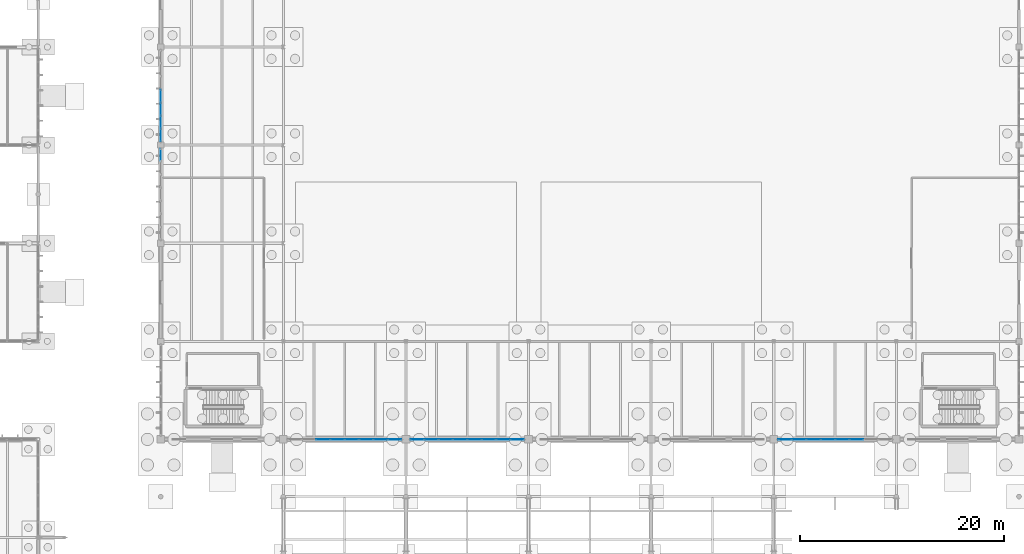
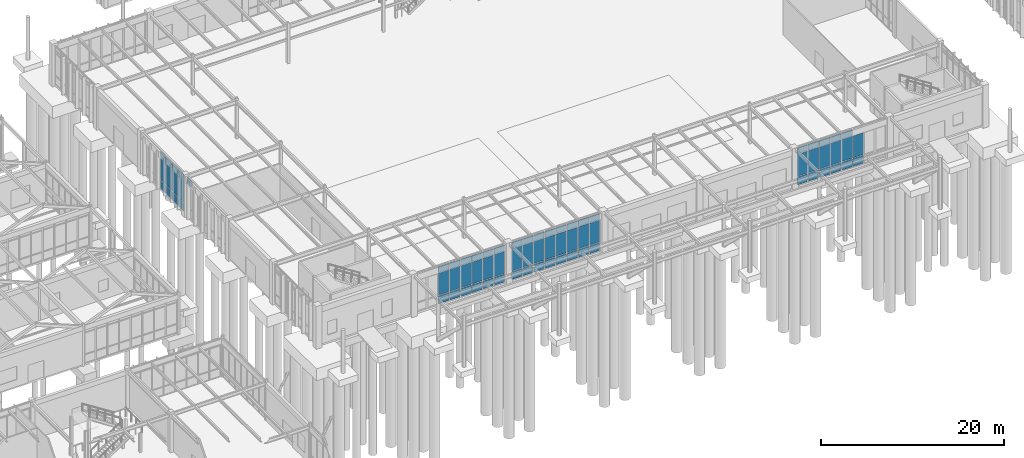
# One storey, part 133 of 188: 72 plates, 5 elements without a shape of their own.
"""IFC4 building model written with IfcOpenShell, lengths in metres."""

from ifc_helpers import new_model, si_unit, direction, frame, origin, origin_2d, place, context, subcontext, project, spatial, rectangle, extrude, material, layer, layer_set, type_object, element, aggregate, save


model = new_model("IFC4")

# Units and contexts
model_context = context("Model", 3, precision=1e-05, world=origin(), true_north=direction((0.0, 1.0)))
body_context = subcontext(model_context, "Body", "Model", "MODEL_VIEW")
ifc_project = project(units=[si_unit("LENGTHUNIT", "METRE"), si_unit("AREAUNIT", "SQUARE_METRE"), si_unit("VOLUMEUNIT", "CUBIC_METRE"), si_unit("PLANEANGLEUNIT", "RADIAN"), si_unit("MASSUNIT", "GRAM", prefix="KILO")], contexts=[model_context])

# Site, building, storey
site_placement = place(None, origin())
site = spatial("IfcSite", under=ifc_project, at=site_placement, CompositionType="ELEMENT")
building_placement = place(site_placement, origin())
building = spatial("IfcBuilding", under=site, at=building_placement, Name="Pandanus Reach Market Hall", CompositionType="ELEMENT")
storey_placement = place(building_placement, origin())
storey = spatial("IfcBuildingStorey", under=building, at=storey_placement, Name="L00", CompositionType="ELEMENT", Elevation=0.0)

# Curtain wall, plates
ifc_material_1 = material(Name="Bronze anodised aluminium and low-E glass", Category="aluminium")
ifc_layer_1 = layer(ifc_material_1, 0.199951171875, Name="CW-01")
ifc_layer_set_1 = layer_set([ifc_layer_1], Name="Bronze anodised aluminium and low-E glass")
curtain_wall_type_1 = type_object("IfcCurtainWallType", Name="CW-01", PredefinedType="NOTDEFINED", material=ifc_layer_set_1)
curtain_wall_1_placement = place(storey_placement, origin())
curtain_wall_1 = element("IfcCurtainWall", 1, at=curtain_wall_1_placement, inside=storey, type_object=curtain_wall_type_1, Name="Glazed curtain wall CW-01 CW-0001", PredefinedType="NOTDEFINED")
ifc_material_2 = material(Name="Acoustic laminated solar double glazing", Category="glass")
ifc_layer_2 = layer(ifc_material_2, 0.031982421875, Name="CW-P2")
ifc_layer_set_2 = layer_set([ifc_layer_2], Name="Acoustic laminated solar double glazing")
plate_type = type_object("IfcPlateType", Name="CW-P2", PredefinedType="CURTAIN_PANEL", material=ifc_layer_set_2)
plate_1_placement = place(storey_placement, frame((63.890625, 28.800048828125, 0.074951171875), z_axis=(0.0, 0.0, 1.0), x_axis=(1.0, 0.0, 0.0)))
plate_1 = element("IfcPlate", 2, at=plate_1_placement, type_object=plate_type, Name="CW-01 panel 3.1", PredefinedType="CURTAIN_PANEL", context=body_context, shape_type="SweptSolid", body=[
    extrude(rectangle(XDim=1.331298828125, YDim=0.031982421875, at=origin_2d()), origin(), (0.0, 0.0, 1.0), 1.08740234375),
])
plate_2_placement = place(storey_placement, frame((63.890625, 28.800048828125, 1.2373046875), z_axis=(0.0, 0.0, 1.0), x_axis=(1.0, 0.0, 0.0)))
plate_2 = element("IfcPlate", 3, at=plate_2_placement, type_object=plate_type, Name="CW-01 panel 3.2", PredefinedType="CURTAIN_PANEL", context=body_context, shape_type="SweptSolid", body=[
    extrude(rectangle(XDim=1.331298828125, YDim=0.031982421875, at=origin_2d()), origin(), (0.0, 0.0, 1.0), 2.925048828125),
])
plate_3_placement = place(storey_placement, frame((63.890625, 28.800048828125, 4.237548828125), z_axis=(0.0, 0.0, 1.0), x_axis=(1.0, 0.0, 0.0)))
plate_3 = element("IfcPlate", 4, at=plate_3_placement, type_object=plate_type, Name="CW-01 panel 3.3", PredefinedType="CURTAIN_PANEL", context=body_context, shape_type="SweptSolid", body=[
    extrude(rectangle(XDim=1.331298828125, YDim=0.031982421875, at=origin_2d()), origin(), (0.0, 0.0, 1.0), 0.78759765625),
])
plate_4_placement = place(storey_placement, frame((65.296875, 28.800048828125, 0.074951171875), z_axis=(0.0, 0.0, 1.0), x_axis=(1.0, 0.0, 0.0)))
plate_4 = element("IfcPlate", 5, at=plate_4_placement, type_object=plate_type, Name="CW-01 panel 4.1", PredefinedType="CURTAIN_PANEL", context=body_context, shape_type="SweptSolid", body=[
    extrude(rectangle(XDim=1.331298828125, YDim=0.031982421875, at=origin_2d()), origin(), (0.0, 0.0, 1.0), 1.08740234375),
])
plate_5_placement = place(storey_placement, frame((65.296875, 28.800048828125, 1.2373046875), z_axis=(0.0, 0.0, 1.0), x_axis=(1.0, 0.0, 0.0)))
plate_5 = element("IfcPlate", 6, at=plate_5_placement, type_object=plate_type, Name="CW-01 panel 4.2", PredefinedType="CURTAIN_PANEL", context=body_context, shape_type="SweptSolid", body=[
    extrude(rectangle(XDim=1.331298828125, YDim=0.031982421875, at=origin_2d()), origin(), (0.0, 0.0, 1.0), 2.925048828125),
])
plate_6_placement = place(storey_placement, frame((65.296875, 28.800048828125, 4.237548828125), z_axis=(0.0, 0.0, 1.0), x_axis=(1.0, 0.0, 0.0)))
plate_6 = element("IfcPlate", 7, at=plate_6_placement, type_object=plate_type, Name="CW-01 panel 4.3", PredefinedType="CURTAIN_PANEL", context=body_context, shape_type="SweptSolid", body=[
    extrude(rectangle(XDim=1.331298828125, YDim=0.031982421875, at=origin_2d()), origin(), (0.0, 0.0, 1.0), 0.78759765625),
])
plate_7_placement = place(storey_placement, frame((66.703125, 28.800048828125, 0.074951171875), z_axis=(0.0, 0.0, 1.0), x_axis=(1.0, 0.0, 0.0)))
plate_7 = element("IfcPlate", 8, at=plate_7_placement, type_object=plate_type, Name="CW-01 panel 5.1", PredefinedType="CURTAIN_PANEL", context=body_context, shape_type="SweptSolid", body=[
    extrude(rectangle(XDim=1.331298828125, YDim=0.031982421875, at=origin_2d()), origin(), (0.0, 0.0, 1.0), 1.08740234375),
])
plate_8_placement = place(storey_placement, frame((66.703125, 28.800048828125, 1.2373046875), z_axis=(0.0, 0.0, 1.0), x_axis=(1.0, 0.0, 0.0)))
plate_8 = element("IfcPlate", 9, at=plate_8_placement, type_object=plate_type, Name="CW-01 panel 5.2", PredefinedType="CURTAIN_PANEL", context=body_context, shape_type="SweptSolid", body=[
    extrude(rectangle(XDim=1.331298828125, YDim=0.031982421875, at=origin_2d()), origin(), (0.0, 0.0, 1.0), 2.925048828125),
])
plate_9_placement = place(storey_placement, frame((66.703125, 28.800048828125, 4.237548828125), z_axis=(0.0, 0.0, 1.0), x_axis=(1.0, 0.0, 0.0)))
plate_9 = element("IfcPlate", 10, at=plate_9_placement, type_object=plate_type, Name="CW-01 panel 5.3", PredefinedType="CURTAIN_PANEL", context=body_context, shape_type="SweptSolid", body=[
    extrude(rectangle(XDim=1.331298828125, YDim=0.031982421875, at=origin_2d()), origin(), (0.0, 0.0, 1.0), 0.78759765625),
])
plate_10_placement = place(storey_placement, frame((68.109375, 28.800048828125, 0.074951171875), z_axis=(0.0, 0.0, 1.0), x_axis=(1.0, 0.0, 0.0)))
plate_10 = element("IfcPlate", 11, at=plate_10_placement, type_object=plate_type, Name="CW-01 panel 6.1", PredefinedType="CURTAIN_PANEL", context=body_context, shape_type="SweptSolid", body=[
    extrude(rectangle(XDim=1.331298828125, YDim=0.031982421875, at=origin_2d()), origin(), (0.0, 0.0, 1.0), 1.08740234375),
])
plate_11_placement = place(storey_placement, frame((68.109375, 28.800048828125, 1.2373046875), z_axis=(0.0, 0.0, 1.0), x_axis=(1.0, 0.0, 0.0)))
plate_11 = element("IfcPlate", 12, at=plate_11_placement, type_object=plate_type, Name="CW-01 panel 6.2", PredefinedType="CURTAIN_PANEL", context=body_context, shape_type="SweptSolid", body=[
    extrude(rectangle(XDim=1.331298828125, YDim=0.031982421875, at=origin_2d()), origin(), (0.0, 0.0, 1.0), 2.925048828125),
])
plate_12_placement = place(storey_placement, frame((68.109375, 28.800048828125, 4.237548828125), z_axis=(0.0, 0.0, 1.0), x_axis=(1.0, 0.0, 0.0)))
plate_12 = element("IfcPlate", 13, at=plate_12_placement, type_object=plate_type, Name="CW-01 panel 6.3", PredefinedType="CURTAIN_PANEL", context=body_context, shape_type="SweptSolid", body=[
    extrude(rectangle(XDim=1.331298828125, YDim=0.031982421875, at=origin_2d()), origin(), (0.0, 0.0, 1.0), 0.78759765625),
])
plate_13_placement = place(storey_placement, frame((69.515625, 28.800048828125, 0.074951171875), z_axis=(0.0, 0.0, 1.0), x_axis=(1.0, 0.0, 0.0)))
plate_13 = element("IfcPlate", 14, at=plate_13_placement, type_object=plate_type, Name="CW-01 panel 7.1", PredefinedType="CURTAIN_PANEL", context=body_context, shape_type="SweptSolid", body=[
    extrude(rectangle(XDim=1.331298828125, YDim=0.031982421875, at=origin_2d()), origin(), (0.0, 0.0, 1.0), 1.08740234375),
])
plate_14_placement = place(storey_placement, frame((69.515625, 28.800048828125, 1.2373046875), z_axis=(0.0, 0.0, 1.0), x_axis=(1.0, 0.0, 0.0)))
plate_14 = element("IfcPlate", 15, at=plate_14_placement, type_object=plate_type, Name="CW-01 panel 7.2", PredefinedType="CURTAIN_PANEL", context=body_context, shape_type="SweptSolid", body=[
    extrude(rectangle(XDim=1.331298828125, YDim=0.031982421875, at=origin_2d()), origin(), (0.0, 0.0, 1.0), 2.925048828125),
])
plate_15_placement = place(storey_placement, frame((69.515625, 28.800048828125, 4.237548828125), z_axis=(0.0, 0.0, 1.0), x_axis=(1.0, 0.0, 0.0)))
plate_15 = element("IfcPlate", 16, at=plate_15_placement, type_object=plate_type, Name="CW-01 panel 7.3", PredefinedType="CURTAIN_PANEL", context=body_context, shape_type="SweptSolid", body=[
    extrude(rectangle(XDim=1.331298828125, YDim=0.031982421875, at=origin_2d()), origin(), (0.0, 0.0, 1.0), 0.78759765625),
])
plate_16_placement = place(storey_placement, frame((70.903076171875, 28.800048828125, 0.074951171875), z_axis=(0.0, 0.0, 1.0), x_axis=(1.0, 0.0, 0.0)))
plate_16 = element("IfcPlate", 17, at=plate_16_placement, type_object=plate_type, Name="CW-01 panel 8.1", PredefinedType="CURTAIN_PANEL", context=body_context, shape_type="SweptSolid", body=[
    extrude(rectangle(XDim=1.293701171875, YDim=0.031982421875, at=origin_2d()), origin(), (0.0, 0.0, 1.0), 1.08740234375),
])
plate_17_placement = place(storey_placement, frame((70.903076171875, 28.800048828125, 1.2373046875), z_axis=(0.0, 0.0, 1.0), x_axis=(1.0, 0.0, 0.0)))
plate_17 = element("IfcPlate", 18, at=plate_17_placement, type_object=plate_type, Name="CW-01 panel 8.2", PredefinedType="CURTAIN_PANEL", context=body_context, shape_type="SweptSolid", body=[
    extrude(rectangle(XDim=1.293701171875, YDim=0.031982421875, at=origin_2d()), origin(), (0.0, 0.0, 1.0), 2.925048828125),
])
plate_18_placement = place(storey_placement, frame((70.903076171875, 28.800048828125, 4.237548828125), z_axis=(0.0, 0.0, 1.0), x_axis=(1.0, 0.0, 0.0)))
plate_18 = element("IfcPlate", 19, at=plate_18_placement, type_object=plate_type, Name="CW-01 panel 8.3", PredefinedType="CURTAIN_PANEL", context=body_context, shape_type="SweptSolid", body=[
    extrude(rectangle(XDim=1.293701171875, YDim=0.031982421875, at=origin_2d()), origin(), (0.0, 0.0, 1.0), 0.78759765625),
])
aggregate(curtain_wall_1, [plate_1, plate_2, plate_3, plate_4, plate_5, plate_6, plate_7, plate_8, plate_9, plate_10, plate_11, plate_12, plate_13, plate_14, plate_15, plate_16, plate_17, plate_18])

curtain_wall_2_placement = place(storey_placement, origin())
curtain_wall_2 = element("IfcCurtainWall", 20, at=curtain_wall_2_placement, inside=storey, type_object=curtain_wall_type_1, Name="Glazed curtain wall CW-01 CW-0003", PredefinedType="NOTDEFINED")
plate_19_placement = place(storey_placement, frame((73.096923828125, 28.800048828125, 0.074951171875), z_axis=(0.0, 0.0, 1.0), x_axis=(1.0, 0.0, 0.0)))
plate_19 = element("IfcPlate", 21, at=plate_19_placement, type_object=plate_type, Name="CW-01 panel 1.1", PredefinedType="CURTAIN_PANEL", context=body_context, shape_type="SweptSolid", body=[
    extrude(rectangle(XDim=1.293701171875, YDim=0.031982421875, at=origin_2d()), origin(), (0.0, 0.0, 1.0), 1.08740234375),
])
plate_20_placement = place(storey_placement, frame((73.096923828125, 28.800048828125, 1.2373046875), z_axis=(0.0, 0.0, 1.0), x_axis=(1.0, 0.0, 0.0)))
plate_20 = element("IfcPlate", 22, at=plate_20_placement, type_object=plate_type, Name="CW-01 panel 1.2", PredefinedType="CURTAIN_PANEL", context=body_context, shape_type="SweptSolid", body=[
    extrude(rectangle(XDim=1.293701171875, YDim=0.031982421875, at=origin_2d()), origin(), (0.0, 0.0, 1.0), 2.925048828125),
])
plate_21_placement = place(storey_placement, frame((73.096923828125, 28.800048828125, 4.237548828125), z_axis=(0.0, 0.0, 1.0), x_axis=(1.0, 0.0, 0.0)))
plate_21 = element("IfcPlate", 23, at=plate_21_placement, type_object=plate_type, Name="CW-01 panel 1.3", PredefinedType="CURTAIN_PANEL", context=body_context, shape_type="SweptSolid", body=[
    extrude(rectangle(XDim=1.293701171875, YDim=0.031982421875, at=origin_2d()), origin(), (0.0, 0.0, 1.0), 0.78759765625),
])
plate_22_placement = place(storey_placement, frame((74.484375, 28.800048828125, 0.074951171875), z_axis=(0.0, 0.0, 1.0), x_axis=(1.0, 0.0, 0.0)))
plate_22 = element("IfcPlate", 24, at=plate_22_placement, type_object=plate_type, Name="CW-01 panel 2.1", PredefinedType="CURTAIN_PANEL", context=body_context, shape_type="SweptSolid", body=[
    extrude(rectangle(XDim=1.331298828125, YDim=0.031982421875, at=origin_2d()), origin(), (0.0, 0.0, 1.0), 1.08740234375),
])
plate_23_placement = place(storey_placement, frame((74.484375, 28.800048828125, 1.2373046875), z_axis=(0.0, 0.0, 1.0), x_axis=(1.0, 0.0, 0.0)))
plate_23 = element("IfcPlate", 25, at=plate_23_placement, type_object=plate_type, Name="CW-01 panel 2.2", PredefinedType="CURTAIN_PANEL", context=body_context, shape_type="SweptSolid", body=[
    extrude(rectangle(XDim=1.331298828125, YDim=0.031982421875, at=origin_2d()), origin(), (0.0, 0.0, 1.0), 2.925048828125),
])
plate_24_placement = place(storey_placement, frame((74.484375, 28.800048828125, 4.237548828125), z_axis=(0.0, 0.0, 1.0), x_axis=(1.0, 0.0, 0.0)))
plate_24 = element("IfcPlate", 26, at=plate_24_placement, type_object=plate_type, Name="CW-01 panel 2.3", PredefinedType="CURTAIN_PANEL", context=body_context, shape_type="SweptSolid", body=[
    extrude(rectangle(XDim=1.331298828125, YDim=0.031982421875, at=origin_2d()), origin(), (0.0, 0.0, 1.0), 0.78759765625),
])
plate_25_placement = place(storey_placement, frame((75.890625, 28.800048828125, 0.074951171875), z_axis=(0.0, 0.0, 1.0), x_axis=(1.0, 0.0, 0.0)))
plate_25 = element("IfcPlate", 27, at=plate_25_placement, type_object=plate_type, Name="CW-01 panel 3.1", PredefinedType="CURTAIN_PANEL", context=body_context, shape_type="SweptSolid", body=[
    extrude(rectangle(XDim=1.331298828125, YDim=0.031982421875, at=origin_2d()), origin(), (0.0, 0.0, 1.0), 1.08740234375),
])
plate_26_placement = place(storey_placement, frame((75.890625, 28.800048828125, 1.2373046875), z_axis=(0.0, 0.0, 1.0), x_axis=(1.0, 0.0, 0.0)))
plate_26 = element("IfcPlate", 28, at=plate_26_placement, type_object=plate_type, Name="CW-01 panel 3.2", PredefinedType="CURTAIN_PANEL", context=body_context, shape_type="SweptSolid", body=[
    extrude(rectangle(XDim=1.331298828125, YDim=0.031982421875, at=origin_2d()), origin(), (0.0, 0.0, 1.0), 2.925048828125),
])
plate_27_placement = place(storey_placement, frame((75.890625, 28.800048828125, 4.237548828125), z_axis=(0.0, 0.0, 1.0), x_axis=(1.0, 0.0, 0.0)))
plate_27 = element("IfcPlate", 29, at=plate_27_placement, type_object=plate_type, Name="CW-01 panel 3.3", PredefinedType="CURTAIN_PANEL", context=body_context, shape_type="SweptSolid", body=[
    extrude(rectangle(XDim=1.331298828125, YDim=0.031982421875, at=origin_2d()), origin(), (0.0, 0.0, 1.0), 0.78759765625),
])
plate_28_placement = place(storey_placement, frame((77.296875, 28.800048828125, 0.074951171875), z_axis=(0.0, 0.0, 1.0), x_axis=(1.0, 0.0, 0.0)))
plate_28 = element("IfcPlate", 30, at=plate_28_placement, type_object=plate_type, Name="CW-01 panel 4.1", PredefinedType="CURTAIN_PANEL", context=body_context, shape_type="SweptSolid", body=[
    extrude(rectangle(XDim=1.331298828125, YDim=0.031982421875, at=origin_2d()), origin(), (0.0, 0.0, 1.0), 1.08740234375),
])
plate_29_placement = place(storey_placement, frame((77.296875, 28.800048828125, 1.2373046875), z_axis=(0.0, 0.0, 1.0), x_axis=(1.0, 0.0, 0.0)))
plate_29 = element("IfcPlate", 31, at=plate_29_placement, type_object=plate_type, Name="CW-01 panel 4.2", PredefinedType="CURTAIN_PANEL", context=body_context, shape_type="SweptSolid", body=[
    extrude(rectangle(XDim=1.331298828125, YDim=0.031982421875, at=origin_2d()), origin(), (0.0, 0.0, 1.0), 2.925048828125),
])
plate_30_placement = place(storey_placement, frame((77.296875, 28.800048828125, 4.237548828125), z_axis=(0.0, 0.0, 1.0), x_axis=(1.0, 0.0, 0.0)))
plate_30 = element("IfcPlate", 32, at=plate_30_placement, type_object=plate_type, Name="CW-01 panel 4.3", PredefinedType="CURTAIN_PANEL", context=body_context, shape_type="SweptSolid", body=[
    extrude(rectangle(XDim=1.331298828125, YDim=0.031982421875, at=origin_2d()), origin(), (0.0, 0.0, 1.0), 0.78759765625),
])
plate_31_placement = place(storey_placement, frame((78.703125, 28.800048828125, 0.074951171875), z_axis=(0.0, 0.0, 1.0), x_axis=(1.0, 0.0, 0.0)))
plate_31 = element("IfcPlate", 33, at=plate_31_placement, type_object=plate_type, Name="CW-01 panel 5.1", PredefinedType="CURTAIN_PANEL", context=body_context, shape_type="SweptSolid", body=[
    extrude(rectangle(XDim=1.331298828125, YDim=0.031982421875, at=origin_2d()), origin(), (0.0, 0.0, 1.0), 1.08740234375),
])
plate_32_placement = place(storey_placement, frame((78.703125, 28.800048828125, 1.2373046875), z_axis=(0.0, 0.0, 1.0), x_axis=(1.0, 0.0, 0.0)))
plate_32 = element("IfcPlate", 34, at=plate_32_placement, type_object=plate_type, Name="CW-01 panel 5.2", PredefinedType="CURTAIN_PANEL", context=body_context, shape_type="SweptSolid", body=[
    extrude(rectangle(XDim=1.331298828125, YDim=0.031982421875, at=origin_2d()), origin(), (0.0, 0.0, 1.0), 2.925048828125),
])
plate_33_placement = place(storey_placement, frame((78.703125, 28.800048828125, 4.237548828125), z_axis=(0.0, 0.0, 1.0), x_axis=(1.0, 0.0, 0.0)))
plate_33 = element("IfcPlate", 35, at=plate_33_placement, type_object=plate_type, Name="CW-01 panel 5.3", PredefinedType="CURTAIN_PANEL", context=body_context, shape_type="SweptSolid", body=[
    extrude(rectangle(XDim=1.331298828125, YDim=0.031982421875, at=origin_2d()), origin(), (0.0, 0.0, 1.0), 0.78759765625),
])
plate_34_placement = place(storey_placement, frame((80.109375, 28.800048828125, 0.074951171875), z_axis=(0.0, 0.0, 1.0), x_axis=(1.0, 0.0, 0.0)))
plate_34 = element("IfcPlate", 36, at=plate_34_placement, type_object=plate_type, Name="CW-01 panel 6.1", PredefinedType="CURTAIN_PANEL", context=body_context, shape_type="SweptSolid", body=[
    extrude(rectangle(XDim=1.331298828125, YDim=0.031982421875, at=origin_2d()), origin(), (0.0, 0.0, 1.0), 1.08740234375),
])
plate_35_placement = place(storey_placement, frame((80.109375, 28.800048828125, 1.2373046875), z_axis=(0.0, 0.0, 1.0), x_axis=(1.0, 0.0, 0.0)))
plate_35 = element("IfcPlate", 37, at=plate_35_placement, type_object=plate_type, Name="CW-01 panel 6.2", PredefinedType="CURTAIN_PANEL", context=body_context, shape_type="SweptSolid", body=[
    extrude(rectangle(XDim=1.331298828125, YDim=0.031982421875, at=origin_2d()), origin(), (0.0, 0.0, 1.0), 2.925048828125),
])
plate_36_placement = place(storey_placement, frame((80.109375, 28.800048828125, 4.237548828125), z_axis=(0.0, 0.0, 1.0), x_axis=(1.0, 0.0, 0.0)))
plate_36 = element("IfcPlate", 38, at=plate_36_placement, type_object=plate_type, Name="CW-01 panel 6.3", PredefinedType="CURTAIN_PANEL", context=body_context, shape_type="SweptSolid", body=[
    extrude(rectangle(XDim=1.331298828125, YDim=0.031982421875, at=origin_2d()), origin(), (0.0, 0.0, 1.0), 0.78759765625),
])
plate_37_placement = place(storey_placement, frame((81.515625, 28.800048828125, 0.074951171875), z_axis=(0.0, 0.0, 1.0), x_axis=(1.0, 0.0, 0.0)))
plate_37 = element("IfcPlate", 39, at=plate_37_placement, type_object=plate_type, Name="CW-01 panel 7.1", PredefinedType="CURTAIN_PANEL", context=body_context, shape_type="SweptSolid", body=[
    extrude(rectangle(XDim=1.331298828125, YDim=0.031982421875, at=origin_2d()), origin(), (0.0, 0.0, 1.0), 1.08740234375),
])
plate_38_placement = place(storey_placement, frame((81.515625, 28.800048828125, 1.2373046875), z_axis=(0.0, 0.0, 1.0), x_axis=(1.0, 0.0, 0.0)))
plate_38 = element("IfcPlate", 40, at=plate_38_placement, type_object=plate_type, Name="CW-01 panel 7.2", PredefinedType="CURTAIN_PANEL", context=body_context, shape_type="SweptSolid", body=[
    extrude(rectangle(XDim=1.331298828125, YDim=0.031982421875, at=origin_2d()), origin(), (0.0, 0.0, 1.0), 2.925048828125),
])
plate_39_placement = place(storey_placement, frame((81.515625, 28.800048828125, 4.237548828125), z_axis=(0.0, 0.0, 1.0), x_axis=(1.0, 0.0, 0.0)))
plate_39 = element("IfcPlate", 41, at=plate_39_placement, type_object=plate_type, Name="CW-01 panel 7.3", PredefinedType="CURTAIN_PANEL", context=body_context, shape_type="SweptSolid", body=[
    extrude(rectangle(XDim=1.331298828125, YDim=0.031982421875, at=origin_2d()), origin(), (0.0, 0.0, 1.0), 0.78759765625),
])
plate_40_placement = place(storey_placement, frame((82.903076171875, 28.800048828125, 0.074951171875), z_axis=(0.0, 0.0, 1.0), x_axis=(1.0, 0.0, 0.0)))
plate_40 = element("IfcPlate", 42, at=plate_40_placement, type_object=plate_type, Name="CW-01 panel 8.1", PredefinedType="CURTAIN_PANEL", context=body_context, shape_type="SweptSolid", body=[
    extrude(rectangle(XDim=1.293701171875, YDim=0.031982421875, at=origin_2d()), origin(), (0.0, 0.0, 1.0), 1.08740234375),
])
plate_41_placement = place(storey_placement, frame((82.903076171875, 28.800048828125, 1.2373046875), z_axis=(0.0, 0.0, 1.0), x_axis=(1.0, 0.0, 0.0)))
plate_41 = element("IfcPlate", 43, at=plate_41_placement, type_object=plate_type, Name="CW-01 panel 8.2", PredefinedType="CURTAIN_PANEL", context=body_context, shape_type="SweptSolid", body=[
    extrude(rectangle(XDim=1.293701171875, YDim=0.031982421875, at=origin_2d()), origin(), (0.0, 0.0, 1.0), 2.925048828125),
])
plate_42_placement = place(storey_placement, frame((82.903076171875, 28.800048828125, 4.237548828125), z_axis=(0.0, 0.0, 1.0), x_axis=(1.0, 0.0, 0.0)))
plate_42 = element("IfcPlate", 44, at=plate_42_placement, type_object=plate_type, Name="CW-01 panel 8.3", PredefinedType="CURTAIN_PANEL", context=body_context, shape_type="SweptSolid", body=[
    extrude(rectangle(XDim=1.293701171875, YDim=0.031982421875, at=origin_2d()), origin(), (0.0, 0.0, 1.0), 0.78759765625),
])
aggregate(curtain_wall_2, [plate_19, plate_20, plate_21, plate_22, plate_23, plate_24, plate_25, plate_26, plate_27, plate_28, plate_29, plate_30, plate_31, plate_32, plate_33, plate_34, plate_35, plate_36, plate_37, plate_38, plate_39, plate_40, plate_41, plate_42])

curtain_wall_3_placement = place(storey_placement, origin())
curtain_wall_3 = element("IfcCurtainWall", 45, at=curtain_wall_3_placement, inside=storey, type_object=curtain_wall_type_1, Name="Glazed curtain wall CW-01 CW-0007", PredefinedType="NOTDEFINED")
plate_43_placement = place(storey_placement, frame((109.096923828125, 28.800048828125, 0.074951171875), z_axis=(0.0, 0.0, 1.0), x_axis=(1.0, 0.0, 0.0)))
plate_43 = element("IfcPlate", 46, at=plate_43_placement, type_object=plate_type, Name="CW-01 panel 1.1", PredefinedType="CURTAIN_PANEL", context=body_context, shape_type="SweptSolid", body=[
    extrude(rectangle(XDim=1.293701171875, YDim=0.031982421875, at=origin_2d()), origin(), (0.0, 0.0, 1.0), 1.08740234375),
])
plate_44_placement = place(storey_placement, frame((109.096923828125, 28.800048828125, 1.2373046875), z_axis=(0.0, 0.0, 1.0), x_axis=(1.0, 0.0, 0.0)))
plate_44 = element("IfcPlate", 47, at=plate_44_placement, type_object=plate_type, Name="CW-01 panel 1.2", PredefinedType="CURTAIN_PANEL", context=body_context, shape_type="SweptSolid", body=[
    extrude(rectangle(XDim=1.293701171875, YDim=0.031982421875, at=origin_2d()), origin(), (0.0, 0.0, 1.0), 2.925048828125),
])
plate_45_placement = place(storey_placement, frame((109.096923828125, 28.800048828125, 4.237548828125), z_axis=(0.0, 0.0, 1.0), x_axis=(1.0, 0.0, 0.0)))
plate_45 = element("IfcPlate", 48, at=plate_45_placement, type_object=plate_type, Name="CW-01 panel 1.3", PredefinedType="CURTAIN_PANEL", context=body_context, shape_type="SweptSolid", body=[
    extrude(rectangle(XDim=1.293701171875, YDim=0.031982421875, at=origin_2d()), origin(), (0.0, 0.0, 1.0), 0.78759765625),
])
plate_46_placement = place(storey_placement, frame((110.484375, 28.800048828125, 0.074951171875), z_axis=(0.0, 0.0, 1.0), x_axis=(1.0, 0.0, 0.0)))
plate_46 = element("IfcPlate", 49, at=plate_46_placement, type_object=plate_type, Name="CW-01 panel 2.1", PredefinedType="CURTAIN_PANEL", context=body_context, shape_type="SweptSolid", body=[
    extrude(rectangle(XDim=1.331298828125, YDim=0.031982421875, at=origin_2d()), origin(), (0.0, 0.0, 1.0), 1.08740234375),
])
plate_47_placement = place(storey_placement, frame((110.484375, 28.800048828125, 1.2373046875), z_axis=(0.0, 0.0, 1.0), x_axis=(1.0, 0.0, 0.0)))
plate_47 = element("IfcPlate", 50, at=plate_47_placement, type_object=plate_type, Name="CW-01 panel 2.2", PredefinedType="CURTAIN_PANEL", context=body_context, shape_type="SweptSolid", body=[
    extrude(rectangle(XDim=1.331298828125, YDim=0.031982421875, at=origin_2d()), origin(), (0.0, 0.0, 1.0), 2.925048828125),
])
plate_48_placement = place(storey_placement, frame((110.484375, 28.800048828125, 4.237548828125), z_axis=(0.0, 0.0, 1.0), x_axis=(1.0, 0.0, 0.0)))
plate_48 = element("IfcPlate", 51, at=plate_48_placement, type_object=plate_type, Name="CW-01 panel 2.3", PredefinedType="CURTAIN_PANEL", context=body_context, shape_type="SweptSolid", body=[
    extrude(rectangle(XDim=1.331298828125, YDim=0.031982421875, at=origin_2d()), origin(), (0.0, 0.0, 1.0), 0.78759765625),
])
plate_49_placement = place(storey_placement, frame((111.890625, 28.800048828125, 0.074951171875), z_axis=(0.0, 0.0, 1.0), x_axis=(1.0, 0.0, 0.0)))
plate_49 = element("IfcPlate", 52, at=plate_49_placement, type_object=plate_type, Name="CW-01 panel 3.1", PredefinedType="CURTAIN_PANEL", context=body_context, shape_type="SweptSolid", body=[
    extrude(rectangle(XDim=1.331298828125, YDim=0.031982421875, at=origin_2d()), origin(), (0.0, 0.0, 1.0), 1.08740234375),
])
plate_50_placement = place(storey_placement, frame((111.890625, 28.800048828125, 1.2373046875), z_axis=(0.0, 0.0, 1.0), x_axis=(1.0, 0.0, 0.0)))
plate_50 = element("IfcPlate", 53, at=plate_50_placement, type_object=plate_type, Name="CW-01 panel 3.2", PredefinedType="CURTAIN_PANEL", context=body_context, shape_type="SweptSolid", body=[
    extrude(rectangle(XDim=1.331298828125, YDim=0.031982421875, at=origin_2d()), origin(), (0.0, 0.0, 1.0), 2.925048828125),
])
plate_51_placement = place(storey_placement, frame((111.890625, 28.800048828125, 4.237548828125), z_axis=(0.0, 0.0, 1.0), x_axis=(1.0, 0.0, 0.0)))
plate_51 = element("IfcPlate", 54, at=plate_51_placement, type_object=plate_type, Name="CW-01 panel 3.3", PredefinedType="CURTAIN_PANEL", context=body_context, shape_type="SweptSolid", body=[
    extrude(rectangle(XDim=1.331298828125, YDim=0.031982421875, at=origin_2d()), origin(), (0.0, 0.0, 1.0), 0.78759765625),
])
plate_52_placement = place(storey_placement, frame((113.296875, 28.800048828125, 0.074951171875), z_axis=(0.0, 0.0, 1.0), x_axis=(1.0, 0.0, 0.0)))
plate_52 = element("IfcPlate", 55, at=plate_52_placement, type_object=plate_type, Name="CW-01 panel 4.1", PredefinedType="CURTAIN_PANEL", context=body_context, shape_type="SweptSolid", body=[
    extrude(rectangle(XDim=1.331298828125, YDim=0.031982421875, at=origin_2d()), origin(), (0.0, 0.0, 1.0), 1.08740234375),
])
plate_53_placement = place(storey_placement, frame((113.296875, 28.800048828125, 1.2373046875), z_axis=(0.0, 0.0, 1.0), x_axis=(1.0, 0.0, 0.0)))
plate_53 = element("IfcPlate", 56, at=plate_53_placement, type_object=plate_type, Name="CW-01 panel 4.2", PredefinedType="CURTAIN_PANEL", context=body_context, shape_type="SweptSolid", body=[
    extrude(rectangle(XDim=1.331298828125, YDim=0.031982421875, at=origin_2d()), origin(), (0.0, 0.0, 1.0), 2.925048828125),
])
plate_54_placement = place(storey_placement, frame((113.296875, 28.800048828125, 4.237548828125), z_axis=(0.0, 0.0, 1.0), x_axis=(1.0, 0.0, 0.0)))
plate_54 = element("IfcPlate", 57, at=plate_54_placement, type_object=plate_type, Name="CW-01 panel 4.3", PredefinedType="CURTAIN_PANEL", context=body_context, shape_type="SweptSolid", body=[
    extrude(rectangle(XDim=1.331298828125, YDim=0.031982421875, at=origin_2d()), origin(), (0.0, 0.0, 1.0), 0.78759765625),
])
plate_55_placement = place(storey_placement, frame((114.703125, 28.800048828125, 0.074951171875), z_axis=(0.0, 0.0, 1.0), x_axis=(1.0, 0.0, 0.0)))
plate_55 = element("IfcPlate", 58, at=plate_55_placement, type_object=plate_type, Name="CW-01 panel 5.1", PredefinedType="CURTAIN_PANEL", context=body_context, shape_type="SweptSolid", body=[
    extrude(rectangle(XDim=1.331298828125, YDim=0.031982421875, at=origin_2d()), origin(), (0.0, 0.0, 1.0), 1.08740234375),
])
plate_56_placement = place(storey_placement, frame((114.703125, 28.800048828125, 1.2373046875), z_axis=(0.0, 0.0, 1.0), x_axis=(1.0, 0.0, 0.0)))
plate_56 = element("IfcPlate", 59, at=plate_56_placement, type_object=plate_type, Name="CW-01 panel 5.2", PredefinedType="CURTAIN_PANEL", context=body_context, shape_type="SweptSolid", body=[
    extrude(rectangle(XDim=1.331298828125, YDim=0.031982421875, at=origin_2d()), origin(), (0.0, 0.0, 1.0), 2.925048828125),
])
plate_57_placement = place(storey_placement, frame((114.703125, 28.800048828125, 4.237548828125), z_axis=(0.0, 0.0, 1.0), x_axis=(1.0, 0.0, 0.0)))
plate_57 = element("IfcPlate", 60, at=plate_57_placement, type_object=plate_type, Name="CW-01 panel 5.3", PredefinedType="CURTAIN_PANEL", context=body_context, shape_type="SweptSolid", body=[
    extrude(rectangle(XDim=1.331298828125, YDim=0.031982421875, at=origin_2d()), origin(), (0.0, 0.0, 1.0), 0.78759765625),
])
plate_58_placement = place(storey_placement, frame((116.109375, 28.800048828125, 0.074951171875), z_axis=(0.0, 0.0, 1.0), x_axis=(1.0, 0.0, 0.0)))
plate_58 = element("IfcPlate", 61, at=plate_58_placement, type_object=plate_type, Name="CW-01 panel 6.1", PredefinedType="CURTAIN_PANEL", context=body_context, shape_type="SweptSolid", body=[
    extrude(rectangle(XDim=1.331298828125, YDim=0.031982421875, at=origin_2d()), origin(), (0.0, 0.0, 1.0), 1.08740234375),
])
plate_59_placement = place(storey_placement, frame((116.109375, 28.800048828125, 1.2373046875), z_axis=(0.0, 0.0, 1.0), x_axis=(1.0, 0.0, 0.0)))
plate_59 = element("IfcPlate", 62, at=plate_59_placement, type_object=plate_type, Name="CW-01 panel 6.2", PredefinedType="CURTAIN_PANEL", context=body_context, shape_type="SweptSolid", body=[
    extrude(rectangle(XDim=1.331298828125, YDim=0.031982421875, at=origin_2d()), origin(), (0.0, 0.0, 1.0), 2.925048828125),
])
aggregate(curtain_wall_3, [plate_43, plate_44, plate_45, plate_46, plate_47, plate_48, plate_49, plate_50, plate_51, plate_52, plate_53, plate_54, plate_55, plate_56, plate_57, plate_58, plate_59])

# Curtain wall, plate
ifc_layer_3 = layer(ifc_material_1, 0.199951171875, Name="CW-06")
ifc_layer_set_3 = layer_set([ifc_layer_3], Name="Bronze anodised aluminium and low-E glass")
curtain_wall_type_2 = type_object("IfcCurtainWallType", Name="CW-06", PredefinedType="NOTDEFINED", material=ifc_layer_set_3)
curtain_wall_4_placement = place(storey_placement, origin())
curtain_wall_4 = element("IfcCurtainWall", 63, at=curtain_wall_4_placement, inside=storey, type_object=curtain_wall_type_2, Name="Glazed curtain wall CW-06 CW-0024", PredefinedType="NOTDEFINED")
plate_60_placement = place(storey_placement, frame((48.0, 56.638427734375, 4.237548828125), z_axis=(0.0, 0.0, 1.0), x_axis=(0.0, 1.0, 0.0)))
plate_60 = element("IfcPlate", 64, at=plate_60_placement, type_object=plate_type, Name="CW-06 panel 7.3", PredefinedType="CURTAIN_PANEL", context=body_context, shape_type="SweptSolid", body=[
    extrude(rectangle(XDim=1.173095703125, YDim=0.031982421875, at=origin_2d()), origin(), (0.0, 0.0, 1.0), 0.78759765625),
])
aggregate(curtain_wall_4, [plate_60])

# Curtain wall, plates
curtain_wall_5_placement = place(storey_placement, origin())
curtain_wall_5 = element("IfcCurtainWall", 65, at=curtain_wall_5_placement, inside=storey, type_object=curtain_wall_type_2, Name="Glazed curtain wall CW-06 CW-0028", PredefinedType="NOTDEFINED")
plate_61_placement = place(storey_placement, frame((48.0, 58.5615234375, 0.074951171875), z_axis=(0.0, 0.0, 1.0), x_axis=(0.0, 1.0, 0.0)))
plate_61 = element("IfcPlate", 66, at=plate_61_placement, type_object=plate_type, Name="CW-06 panel 1.1", PredefinedType="CURTAIN_PANEL", context=body_context, shape_type="SweptSolid", body=[
    extrude(rectangle(XDim=1.173095703125, YDim=0.031982421875, at=origin_2d()), origin(), (0.0, 0.0, 1.0), 1.08740234375),
])
plate_62_placement = place(storey_placement, frame((48.0, 58.5615234375, 1.2373046875), z_axis=(0.0, 0.0, 1.0), x_axis=(0.0, 1.0, 0.0)))
plate_62 = element("IfcPlate", 67, at=plate_62_placement, type_object=plate_type, Name="CW-06 panel 1.2", PredefinedType="CURTAIN_PANEL", context=body_context, shape_type="SweptSolid", body=[
    extrude(rectangle(XDim=1.173095703125, YDim=0.031982421875, at=origin_2d()), origin(), (0.0, 0.0, 1.0), 2.925048828125),
])
plate_63_placement = place(storey_placement, frame((48.0, 58.5615234375, 4.237548828125), z_axis=(0.0, 0.0, 1.0), x_axis=(0.0, 1.0, 0.0)))
plate_63 = element("IfcPlate", 68, at=plate_63_placement, type_object=plate_type, Name="CW-06 panel 1.3", PredefinedType="CURTAIN_PANEL", context=body_context, shape_type="SweptSolid", body=[
    extrude(rectangle(XDim=1.173095703125, YDim=0.031982421875, at=origin_2d()), origin(), (0.0, 0.0, 1.0), 0.78759765625),
])
plate_64_placement = place(storey_placement, frame((48.0, 59.82861328125, 0.074951171875), z_axis=(0.0, 0.0, 1.0), x_axis=(0.0, 1.0, 0.0)))
plate_64 = element("IfcPlate", 69, at=plate_64_placement, type_object=plate_type, Name="CW-06 panel 2.1", PredefinedType="CURTAIN_PANEL", context=body_context, shape_type="SweptSolid", body=[
    extrude(rectangle(XDim=1.210693359375, YDim=0.031982421875, at=origin_2d()), origin(), (0.0, 0.0, 1.0), 1.08740234375),
])
plate_65_placement = place(storey_placement, frame((48.0, 59.82861328125, 1.2373046875), z_axis=(0.0, 0.0, 1.0), x_axis=(0.0, 1.0, 0.0)))
plate_65 = element("IfcPlate", 70, at=plate_65_placement, type_object=plate_type, Name="CW-06 panel 2.2", PredefinedType="CURTAIN_PANEL", context=body_context, shape_type="SweptSolid", body=[
    extrude(rectangle(XDim=1.210693359375, YDim=0.031982421875, at=origin_2d()), origin(), (0.0, 0.0, 1.0), 2.925048828125),
])
plate_66_placement = place(storey_placement, frame((48.0, 59.82861328125, 4.237548828125), z_axis=(0.0, 0.0, 1.0), x_axis=(0.0, 1.0, 0.0)))
plate_66 = element("IfcPlate", 71, at=plate_66_placement, type_object=plate_type, Name="CW-06 panel 2.3", PredefinedType="CURTAIN_PANEL", context=body_context, shape_type="SweptSolid", body=[
    extrude(rectangle(XDim=1.210693359375, YDim=0.031982421875, at=origin_2d()), origin(), (0.0, 0.0, 1.0), 0.78759765625),
])
plate_67_placement = place(storey_placement, frame((48.0, 61.1142578125, 0.074951171875), z_axis=(0.0, 0.0, 1.0), x_axis=(0.0, 1.0, 0.0)))
plate_67 = element("IfcPlate", 72, at=plate_67_placement, type_object=plate_type, Name="CW-06 panel 3.1", PredefinedType="CURTAIN_PANEL", context=body_context, shape_type="SweptSolid", body=[
    extrude(rectangle(XDim=1.210693359375, YDim=0.031982421875, at=origin_2d()), origin(), (0.0, 0.0, 1.0), 1.08740234375),
])
plate_68_placement = place(storey_placement, frame((48.0, 61.1142578125, 1.2373046875), z_axis=(0.0, 0.0, 1.0), x_axis=(0.0, 1.0, 0.0)))
plate_68 = element("IfcPlate", 73, at=plate_68_placement, type_object=plate_type, Name="CW-06 panel 3.2", PredefinedType="CURTAIN_PANEL", context=body_context, shape_type="SweptSolid", body=[
    extrude(rectangle(XDim=1.210693359375, YDim=0.031982421875, at=origin_2d()), origin(), (0.0, 0.0, 1.0), 2.925048828125),
])
plate_69_placement = place(storey_placement, frame((48.0, 61.1142578125, 4.237548828125), z_axis=(0.0, 0.0, 1.0), x_axis=(0.0, 1.0, 0.0)))
plate_69 = element("IfcPlate", 74, at=plate_69_placement, type_object=plate_type, Name="CW-06 panel 3.3", PredefinedType="CURTAIN_PANEL", context=body_context, shape_type="SweptSolid", body=[
    extrude(rectangle(XDim=1.210693359375, YDim=0.031982421875, at=origin_2d()), origin(), (0.0, 0.0, 1.0), 0.78759765625),
])
plate_70_placement = place(storey_placement, frame((48.0, 62.39990234375, 0.074951171875), z_axis=(0.0, 0.0, 1.0), x_axis=(0.0, 1.0, 0.0)))
plate_70 = element("IfcPlate", 75, at=plate_70_placement, type_object=plate_type, Name="CW-06 panel 4.1", PredefinedType="CURTAIN_PANEL", context=body_context, shape_type="SweptSolid", body=[
    extrude(rectangle(XDim=1.210693359375, YDim=0.031982421875, at=origin_2d()), origin(), (0.0, 0.0, 1.0), 1.08740234375),
])
plate_71_placement = place(storey_placement, frame((48.0, 62.39990234375, 1.2373046875), z_axis=(0.0, 0.0, 1.0), x_axis=(0.0, 1.0, 0.0)))
plate_71 = element("IfcPlate", 76, at=plate_71_placement, type_object=plate_type, Name="CW-06 panel 4.2", PredefinedType="CURTAIN_PANEL", context=body_context, shape_type="SweptSolid", body=[
    extrude(rectangle(XDim=1.210693359375, YDim=0.031982421875, at=origin_2d()), origin(), (0.0, 0.0, 1.0), 2.925048828125),
])
plate_72_placement = place(storey_placement, frame((48.0, 62.39990234375, 4.237548828125), z_axis=(0.0, 0.0, 1.0), x_axis=(0.0, 1.0, 0.0)))
plate_72 = element("IfcPlate", 77, at=plate_72_placement, type_object=plate_type, Name="CW-06 panel 4.3", PredefinedType="CURTAIN_PANEL", context=body_context, shape_type="SweptSolid", body=[
    extrude(rectangle(XDim=1.210693359375, YDim=0.031982421875, at=origin_2d()), origin(), (0.0, 0.0, 1.0), 0.78759765625),
])
aggregate(curtain_wall_5, [plate_61, plate_62, plate_63, plate_64, plate_65, plate_66, plate_67, plate_68, plate_69, plate_70, plate_71, plate_72])

save(model, "model.ifc")
